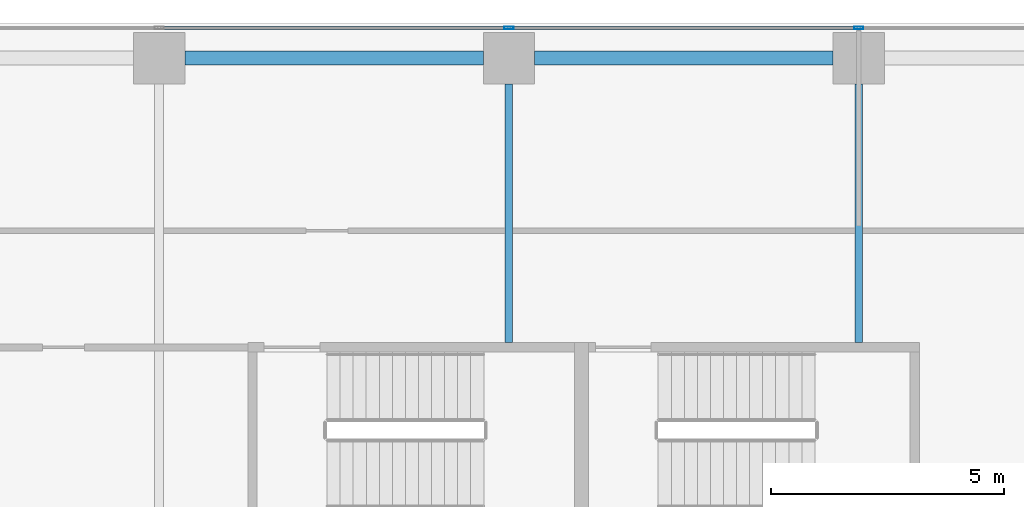
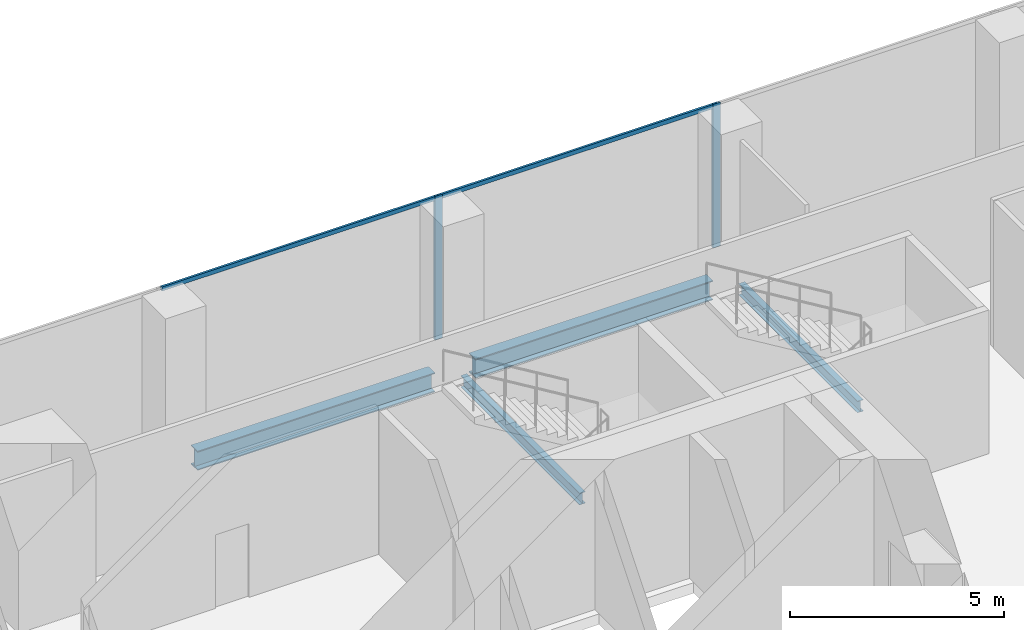
# One storey, part 17 of 35: 4 beams, 4 members, 1 element without a shape of its own.
"""IFC4 building model written with IfcOpenShell, lengths in metres."""

import ifcopenshell
import ifcopenshell.guid

model = None  # the IFC model being written
_history = None  # IfcOwnerHistory: only IFC2X3 demands one
_inside = {}  # id of a spatial element -> (the spatial element, [elements in it])
_under = {}  # id of a project, library or spatial element -> (it, [spatial elements below it])
_declared = {}  # id of a project -> (the project, [libraries it declares])
_typed = {}  # id of a type object -> (the type object, [elements of that type])
_made_of = {}  # id of a material, layer set ... -> (it, [elements and type objects made of it])


def new_model(schema):
    """Start an empty IFC model of exactly this schema.

    Asked for "IFC4X3", IfcOpenShell would pick the latest addendum, in which some entities
    have other attributes; the version numbers below select the first issue.
    IFC2X3 requires an IfcOwnerHistory on every rooted entity: one is made here for all.
    """
    global model, _history
    if schema == "IFC4X3":
        model = ifcopenshell.file(schema_version=(4, 3, 0, 0))
    else:
        model = ifcopenshell.file(schema=schema)
    _inside.clear()
    _under.clear()
    _declared.clear()
    _typed.clear()
    _made_of.clear()
    _history = None
    if model.schema == "IFC2X3":
        org = make("IfcOrganization", Name="unknown")
        user = make(
            "IfcPersonAndOrganization",
            ThePerson=make("IfcPerson", FamilyName="unknown"),
            TheOrganization=org,
        )
        app = make(
            "IfcApplication",
            ApplicationDeveloper=org,
            Version="unknown",
            ApplicationFullName="unknown",
            ApplicationIdentifier="unknown",
        )
        _history = make(
            "IfcOwnerHistory",
            OwningUser=user,
            OwningApplication=app,
            ChangeAction="ADDED",
            CreationDate=0,
        )
    return model


def make(cls, **values):
    """One entity of the class cls with the attributes given. An attribute that is None is left unset."""
    return model.create_entity(
        cls, **{name: value for name, value in values.items() if value is not None}
    )


def rooted(cls, **values):
    """An entity with a GlobalId (a new one), such as an element, a storey or a relation."""
    return make(cls, GlobalId=ifcopenshell.guid.new(), OwnerHistory=_history, **values)


def si_unit(unit_type, name, prefix=None):
    """IfcSIUnit, for example si_unit("LENGTHUNIT", "METRE", prefix="MILLI")."""
    return make("IfcSIUnit", UnitType=unit_type, Prefix=prefix, Name=name)


def assignment(units):
    """IfcUnitAssignment: the units of a project."""
    return None if units is None else make("IfcUnitAssignment", Units=units)


def point(xyz):
    """IfcCartesianPoint."""
    return None if xyz is None else make("IfcCartesianPoint", Coordinates=xyz)


def direction(xyz):
    """IfcDirection."""
    return None if xyz is None else make("IfcDirection", DirectionRatios=xyz)


def frame(location, z_axis=None, x_axis=None):
    """IfcAxis2Placement3D, a coordinate frame: its origin and axes. An axis left out is left unset."""
    return make(
        "IfcAxis2Placement3D",
        Location=point(location),
        Axis=direction(z_axis),
        RefDirection=direction(x_axis),
    )


def frame_2d(location, x_axis=None):
    """IfcAxis2Placement2D, a coordinate frame in the plane: its origin and x axis."""
    return make(
        "IfcAxis2Placement2D", Location=point(location), RefDirection=direction(x_axis)
    )


def origin():
    """The frame at (0, 0, 0) with its axes left unset."""
    return frame((0.0, 0.0, 0.0))


def origin_2d():
    """The frame at (0, 0) in the plane with its x axis left unset."""
    return frame_2d((0.0, 0.0))


def place(relative_to, where):
    """IfcLocalPlacement: puts the frame where relative to a parent placement (None: the world)."""
    return make(
        "IfcLocalPlacement", PlacementRelTo=relative_to, RelativePlacement=where
    )


def context(
    kind, dimensions, precision=None, world=None, true_north=None, identifier=None
):
    """IfcGeometricRepresentationContext, for example the 3D "Model" context."""
    return make(
        "IfcGeometricRepresentationContext",
        ContextIdentifier=identifier,
        ContextType=kind,
        CoordinateSpaceDimension=dimensions,
        Precision=precision,
        WorldCoordinateSystem=world,
        TrueNorth=true_north,
    )


def subcontext(parent, identifier, kind, view, scale=None):
    """IfcGeometricRepresentationSubContext, for example "Body" below "Model"."""
    return make(
        "IfcGeometricRepresentationSubContext",
        ContextIdentifier=identifier,
        ContextType=kind,
        ParentContext=parent,
        TargetScale=scale,
        TargetView=view,
    )


def project(units=None, contexts=None):
    """IfcProject with its units and contexts."""
    return rooted(
        "IfcProject",
        Name="project",
        RepresentationContexts=contexts,
        UnitsInContext=assignment(units),
    )


def spatial(cls, under=None, at=None, **own):
    """A site, building, storey or space (cls), placed at a placement, below another one or the project."""
    s = rooted(cls, ObjectPlacement=at, **own)
    if under is not None:
        _under.setdefault(under.id(), (under, []))[1].append(s)
    return s


def profile(cls, at=None, kind="AREA", **sizes):
    """A parametric profile (cls). Its sizes go by their IFC names, for example OverallWidth=200.0."""
    return make(cls, ProfileType=kind, Position=at, **sizes)


def hollow_rectangle(**sizes):
    """IfcRectangleHollowProfileDef."""
    return profile("IfcRectangleHollowProfileDef", **sizes)


def i_section(**sizes):
    """IfcIShapeProfileDef."""
    return profile("IfcIShapeProfileDef", **sizes)


def extrude(swept, where, along, depth):
    """IfcExtrudedAreaSolid: the profile swept, set in the frame where, extruded along a direction by depth."""
    return make(
        "IfcExtrudedAreaSolid",
        SweptArea=swept,
        Position=where,
        ExtrudedDirection=direction(along),
        Depth=depth,
    )


def shape(context_of_items, identifier, shape_type, items):
    """IfcShapeRepresentation: the items that make up one representation, for example the "Body"."""
    return make(
        "IfcShapeRepresentation",
        ContextOfItems=context_of_items,
        RepresentationIdentifier=identifier,
        RepresentationType=shape_type,
        Items=items,
    )


def source(mapping_origin, context_of_items, identifier, shape_type, items):
    """IfcRepresentationMap: a shape defined once, which mapped items show again and again."""
    return make(
        "IfcRepresentationMap",
        MappingOrigin=mapping_origin,
        MappedRepresentation=shape(context_of_items, identifier, shape_type, items),
    )


def transform(
    local_origin,
    x_axis=None,
    y_axis=None,
    z_axis=None,
    scale=None,
    scale2=None,
    scale3=None,
    uniform=True,
):
    """IfcCartesianTransformationOperator3D, or its non-uniform kind. x_axis, y_axis, z_axis: its Axis1, 2, 3."""
    if uniform:
        return make(
            "IfcCartesianTransformationOperator3D",
            Axis1=direction(x_axis),
            Axis2=direction(y_axis),
            LocalOrigin=point(local_origin),
            Scale=scale,
            Axis3=direction(z_axis),
        )
    return make(
        "IfcCartesianTransformationOperator3DnonUniform",
        Axis1=direction(x_axis),
        Axis2=direction(y_axis),
        LocalOrigin=point(local_origin),
        Scale=scale,
        Axis3=direction(z_axis),
        Scale2=scale2,
        Scale3=scale3,
    )


def mapped(mapping_source, mapping_target):
    """IfcMappedItem: shows the shape of a source again, moved by a transform."""
    return make(
        "IfcMappedItem", MappingSource=mapping_source, MappingTarget=mapping_target
    )


def material(Name=None, Category=None):
    """IfcMaterial."""
    return make("IfcMaterial", Name=Name, Category=Category)


def material_profile(
    of_material, cross_section, Name=None, Category=None, Priority=None
):
    """IfcMaterialProfile: a cross section and its material."""
    return make(
        "IfcMaterialProfile",
        Name=Name,
        Material=of_material,
        Profile=cross_section,
        Priority=Priority,
        Category=Category,
    )


def profile_set(profiles, Name=None, composite=None):
    """IfcMaterialProfileSet."""
    return make(
        "IfcMaterialProfileSet",
        Name=Name,
        MaterialProfiles=profiles,
        CompositeProfile=composite,
    )


def made_of(thing, what):
    """Note that an element or type object is made of a material, layer set ...; save() writes the relation."""
    if what is not None:
        _made_of.setdefault(what.id(), (what, []))[1].append(thing)
    return thing


def type_object(cls, material=None, **own):
    """A type object (cls), such as IfcWallType, which elements share."""
    return made_of(rooted(cls, **own), material)


def element(
    cls,
    number,
    at=None,
    inside=None,
    cuts=None,
    type_object=None,
    material=None,
    context=None,
    identifier="Body",
    shape_type=None,
    held_by="IfcProductDefinitionShape",
    body=None,
    shapes=None,
    **own,
):
    """One element of the class cls, such as IfcWall. Its Tag is "e" and its number.

    at: its placement. inside: the storey or other place that contains it. cuts: it is an
    opening in that element (IfcRelVoidsElement). A single representation is given by context,
    identifier, shape_type and body (its items); several are given by shapes. held_by: the class
    of the entity that holds the representations. save() writes the other relations.
    """
    e = rooted(cls, Tag="e%d" % number, ObjectPlacement=at, **own)
    if body is not None:
        shapes = [shape(context, identifier, shape_type, body)]
    if shapes is not None:
        e.Representation = make(held_by, Representations=shapes)
    if inside is not None:
        _inside.setdefault(inside.id(), (inside, []))[1].append(e)
    if cuts is not None:
        rooted(
            "IfcRelVoidsElement", RelatingBuildingElement=cuts, RelatedOpeningElement=e
        )
    if type_object is not None:
        _typed.setdefault(type_object.id(), (type_object, []))[1].append(e)
    return made_of(e, material)


def aggregate(whole, parts):
    """IfcRelAggregates: a whole, such as a stair, and the parts it consists of."""
    return rooted("IfcRelAggregates", RelatingObject=whole, RelatedObjects=parts)


def save(model, path):
    """Write the relations noted so far, then the file.

    IfcRelAggregates (storeys below a building ...), IfcRelContainedInSpatialStructure (elements
    in a storey), IfcRelDefinesByType, IfcRelAssociatesMaterial and IfcRelDeclares: one each for
    every whole, place, type object, material and project.
    """
    for whole, parts in _under.values():
        aggregate(whole, parts)
    for where, things in _inside.values():
        rooted(
            "IfcRelContainedInSpatialStructure",
            RelatedElements=things,
            RelatingStructure=where,
        )
    for kind, things in _typed.values():
        rooted("IfcRelDefinesByType", RelatedObjects=things, RelatingType=kind)
    for what, things in _made_of.values():
        rooted("IfcRelAssociatesMaterial", RelatedObjects=things, RelatingMaterial=what)
    for by, libraries in _declared.values():
        rooted("IfcRelDeclares", RelatingContext=by, RelatedDefinitions=libraries)
    model.write(path)


model = new_model("IFC4")

# Units and contexts
model_context = context("Model", 3, precision=1e-05, world=origin(), true_north=direction((0.0, 1.0)))
body_context = subcontext(model_context, "Body", "Model", "MODEL_VIEW")
ifc_project = project(units=[si_unit("LENGTHUNIT", "METRE"), si_unit("AREAUNIT", "SQUARE_METRE"), si_unit("VOLUMEUNIT", "CUBIC_METRE"), si_unit("PLANEANGLEUNIT", "RADIAN"), si_unit("MASSUNIT", "GRAM", prefix="KILO")], contexts=[model_context])

# Site, building, storey
site_placement = place(None, origin())
site = spatial("IfcSite", under=ifc_project, at=site_placement, CompositionType="ELEMENT")
building_placement = place(site_placement, origin())
building = spatial("IfcBuilding", under=site, at=building_placement, Name="Khomas Fold Tower", CompositionType="ELEMENT")
storey_placement = place(building_placement, frame((0.0, 0.0, 136.699951171875)))
storey = spatial("IfcBuildingStorey", under=building, at=storey_placement, Name="L29", CompositionType="ELEMENT", Elevation=136.699951171875)

# Beams
ifc_material_1 = material(Name="Steel S355", Category="steel")
ifc_material_profile_1 = material_profile(ifc_material_1, i_section(OverallWidth=0.300048828125, OverallDepth=0.550048828125, WebThickness=0.014892578125, FlangeThickness=0.029052734375, at=origin_2d()), Name="HE 550 B")
ifc_profile_set_1 = profile_set([ifc_material_profile_1], Name="Steel S355")
beam_type_1 = type_object("IfcBeamType", Name="HE 550 B spandrel SB2", PredefinedType="SPANDREL", material=ifc_profile_set_1)
shared_shape_1 = source(origin(), body_context, "Body", "SweptSolid", [
    extrude(i_section(OverallWidth=0.300048828125, OverallDepth=0.550048828125, WebThickness=0.014892578125, FlangeThickness=0.029052734375, at=origin_2d()), origin(), (0.0, 0.0, 1.0), 6.39990234375),
])
for number, where, z_axis, x_axis, name in (
    (1, (20.050048828125, 51.75, -0.574951171875), (1.0, 0.0, 0.0), (0.0, 1.0, 0.0), "SB2"),
    (2, (12.550048828125, 51.75, -0.574951171875), (1.0, 0.0, 0.0), (0.0, 1.0, 0.0), "SB2"),
):
    element("IfcBeam", number, at=place(storey_placement, frame(where, z_axis=z_axis, x_axis=x_axis)), inside=storey, type_object=beam_type_1, Name=name, PredefinedType="SPANDREL", context=body_context, shape_type="MappedRepresentation", body=[
        mapped(shared_shape_1, transform((0.0, 0.0, 0.0))),
    ])
ifc_material_2 = material(Name="Steel S355", Category="steel")
ifc_material_profile_2 = material_profile(ifc_material_2, i_section(OverallWidth=0.159912109375, OverallDepth=0.330078125, WebThickness=0.007568359375, FlangeThickness=0.011474609375, at=origin_2d()), Name="IPE 330")
ifc_profile_set_2 = profile_set([ifc_material_profile_2], Name="Steel S355")
beam_type_2 = type_object("IfcBeamType", Name="IPE 330 beam JB1", PredefinedType="BEAM", material=ifc_profile_set_2)
shared_shape_2 = source(origin(), body_context, "Body", "SweptSolid", [
    extrude(i_section(OverallWidth=0.159912109375, OverallDepth=0.330078125, WebThickness=0.007568359375, FlangeThickness=0.011474609375, at=origin_2d()), origin(), (0.0, 0.0, 1.0), 5.550048828125),
])
for number, where, z_axis, x_axis, name in (
    (3, (19.5, 45.64990234375, -0.46484375), (0.0, 1.0, 0.0), (-1.0, 0.0, 0.0), "JB1"),
    (4, (27.0, 45.64990234375, -0.46484375), (0.0, 1.0, 0.0), (-1.0, 0.0, 0.0), "JB1"),
):
    element("IfcBeam", number, at=place(storey_placement, frame(where, z_axis=z_axis, x_axis=x_axis)), inside=storey, type_object=beam_type_2, Name=name, PredefinedType="BEAM", context=body_context, shape_type="MappedRepresentation", body=[
        mapped(shared_shape_2, transform((0.0, 0.0, 0.0))),
    ])

# Curtain wall, members
ifc_material_3 = material(Name="Aluminium framed double glazing", Category="aluminium")
curtain_wall_type = type_object("IfcCurtainWallType", Name="SK-Unitised clear-glass wall, growing floors CW1", PredefinedType="NOTDEFINED", material=ifc_material_3)
curtain_wall_placement = place(storey_placement, origin())
curtain_wall = element("IfcCurtainWall", 5, at=curtain_wall_placement, inside=storey, type_object=curtain_wall_type, Name="CW1 run L29 06-0", PredefinedType="NOTDEFINED")
ifc_material_4 = material(Name="Aluminium", Category="aluminium")
ifc_material_profile_3 = material_profile(ifc_material_4, hollow_rectangle(XDim=0.06005859375, YDim=0.1201171875, WallThickness=0.00390625, at=origin_2d()), Name="SK-Unitised clear-glass wall, growing floors transom CW1-T")
ifc_profile_set_3 = profile_set([ifc_material_profile_3], Name="Aluminium")
member_type_1 = type_object("IfcMemberType", Name="SK-Unitised clear-glass wall, growing floors transom CW1-T", PredefinedType="USERDEFINED", material=ifc_profile_set_3)
shared_shape_3 = source(origin(), body_context, "Body", "SweptSolid", [
    extrude(hollow_rectangle(XDim=0.06005859375, YDim=0.1201171875, WallThickness=0.00390625, at=origin_2d()), origin(), (0.0, 0.0, 1.0), 7.43994140625),
])
member_1_placement = place(storey_placement, frame((26.969970703125, 52.39990234375, 4.0400390625), z_axis=(-1.0, 0.0, 0.0), x_axis=(0.0, -1.0, 0.0)))
member_1 = element("IfcMember", 6, at=member_1_placement, type_object=member_type_1, Name="CW1 transom 5", ObjectType="TRANSOM", PredefinedType="USERDEFINED", context=body_context, shape_type="MappedRepresentation", body=[
    mapped(shared_shape_3, transform((0.0, 0.0, 0.0))),
])
member_2_placement = place(storey_placement, frame((19.469970703125, 52.39990234375, 4.0400390625), z_axis=(-1.0, 0.0, 0.0), x_axis=(0.0, -1.0, 0.0)))
member_2 = element("IfcMember", 7, at=member_2_placement, type_object=member_type_1, Name="CW1 transom 6", ObjectType="TRANSOM", PredefinedType="USERDEFINED", context=body_context, shape_type="MappedRepresentation", body=[
    mapped(shared_shape_3, transform((0.0, 0.0, 0.0))),
])
ifc_material_5 = material(Name="Aluminium", Category="aluminium")
ifc_material_profile_4 = material_profile(ifc_material_5, hollow_rectangle(XDim=0.06005859375, YDim=0.199951171875, WallThickness=0.00390625, at=origin_2d()), Name="SK-Unitised clear-glass wall, growing floors mullion CW1-M")
ifc_profile_set_4 = profile_set([ifc_material_profile_4], Name="Aluminium")
member_type_2 = type_object("IfcMemberType", Name="SK-Unitised clear-glass wall, growing floors mullion CW1-M", PredefinedType="MULLION", material=ifc_profile_set_4)
shared_shape_4 = source(origin(), body_context, "Body", "SweptSolid", [
    extrude(hollow_rectangle(XDim=0.06005859375, YDim=0.199951171875, WallThickness=0.00390625, at=origin_2d()), origin(), (0.0, 0.0, 1.0), 4.10009765625),
])
member_3_placement = place(storey_placement, frame((27.0, 52.39990234375, 0.0), z_axis=(0.0, 0.0, 1.0), x_axis=(0.0, -1.0, 0.0)))
member_3 = element("IfcMember", 8, at=member_3_placement, type_object=member_type_2, Name="CW1 mullion 5", PredefinedType="MULLION", context=body_context, shape_type="MappedRepresentation", body=[
    mapped(shared_shape_4, transform((0.0, 0.0, 0.0))),
])
member_4_placement = place(storey_placement, frame((19.5, 52.39990234375, 0.0), z_axis=(0.0, 0.0, 1.0), x_axis=(0.0, -1.0, 0.0)))
member_4 = element("IfcMember", 9, at=member_4_placement, type_object=member_type_2, Name="CW1 mullion 6", PredefinedType="MULLION", context=body_context, shape_type="MappedRepresentation", body=[
    mapped(shared_shape_4, transform((0.0, 0.0, 0.0))),
])
aggregate(curtain_wall, [member_3, member_4, member_1, member_2])

save(model, "model.ifc")
